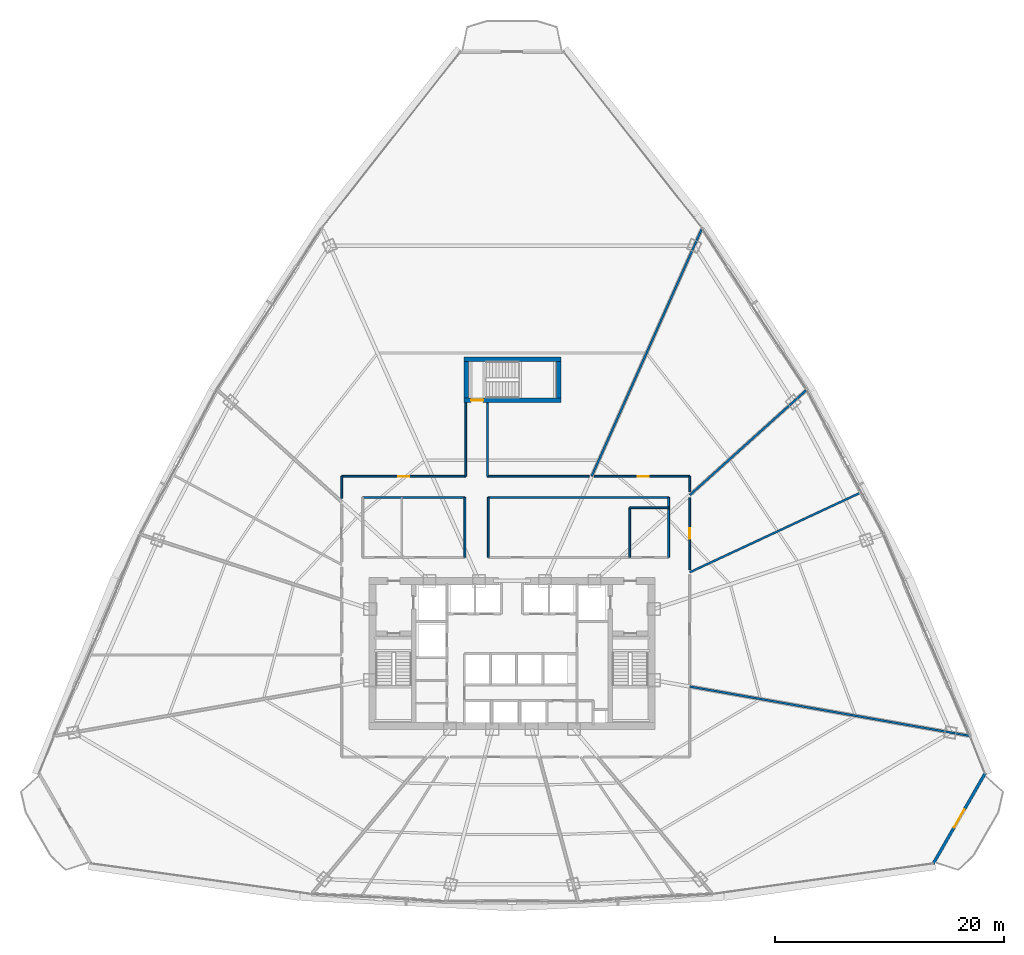
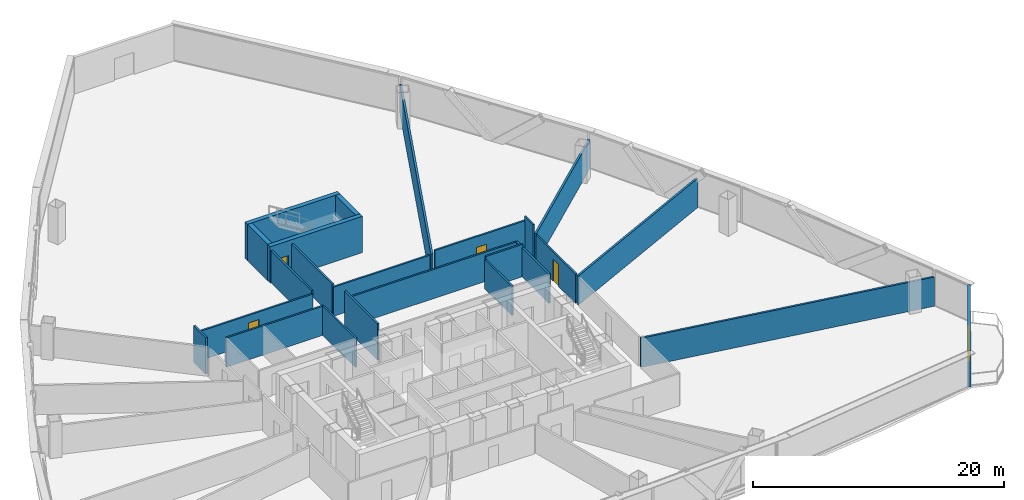
# One storey, part 31 of 36: 24 walls, 5 doors, 5 openings.
"""IFC4 building model written with IfcOpenShell, lengths in metres."""

from ifc_helpers import new_model, si_unit, direction, frame, frame_2d, origin, origin_with_axes, place, context, subcontext, project, spatial, rectangle, extrude, source, transform, mapped, material, layer, layer_set, type_object, element, fill, save


model = new_model("IFC4")

# Units and contexts
model_context = context("Model", 3, precision=1e-05, world=origin(), true_north=direction((0.0, 1.0)))
body_context = subcontext(model_context, "Body", "Model", "MODEL_VIEW")
ifc_project = project(units=[si_unit("LENGTHUNIT", "METRE"), si_unit("AREAUNIT", "SQUARE_METRE"), si_unit("VOLUMEUNIT", "CUBIC_METRE"), si_unit("PLANEANGLEUNIT", "RADIAN"), si_unit("MASSUNIT", "GRAM", prefix="KILO"), si_unit("THERMODYNAMICTEMPERATUREUNIT", "KELVIN"), si_unit("POWERUNIT", "WATT")], contexts=[model_context])

# Site, building, storey
site_placement = place(None, origin())
site = spatial("IfcSite", under=ifc_project, at=site_placement, CompositionType="ELEMENT")
building_placement = place(site_placement, origin())
building = spatial("IfcBuilding", under=site, at=building_placement, Name="Yunzhuo Pagoda Commons", CompositionType="ELEMENT")
storey_placement = place(building_placement, frame((0.0, 0.0, 103.97998046875)))
storey = spatial("IfcBuildingStorey", under=building, at=storey_placement, Name="L26", CompositionType="ELEMENT", Elevation=103.97998046875)

# Wall, opening, door
ifc_material_1 = material(Name="Precast concrete C40", Category="concrete")
ifc_layer_1 = layer(ifc_material_1, 0.260009765625)
ifc_layer_set_1 = layer_set([ifc_layer_1], Name="Precast concrete C40")
wall_type_1 = type_object("IfcWallType", Name="W-BAL1 Corner Balcony Threshold Wall 260", PredefinedType="STANDARD", material=ifc_layer_set_1)
wall_1_placement = place(storey_placement, frame((84.835693359375, 15.427734375, 0.0), z_axis=(0.0, 0.0, 1.0), x_axis=(0.497913445573, 0.867226729707, 0.0)))
wall_1 = element("IfcWall", 1, at=wall_1_placement, inside=storey, type_object=wall_type_1, Name="L26 corner balcony wall V2", PredefinedType="STANDARD", context=body_context, shape_type="SweptSolid", body=[
    extrude(rectangle(XDim=9.180908203125, YDim=0.260009765625, at=frame_2d((4.59033203125, 0.0))), origin(), (0.0, 0.0, 1.0), 3.5400390625),
])
opening_1_placement = place(wall_1_placement, frame((3.6904296875, 0.0, 0.0)))
opening_1 = element("IfcOpeningElement", 2, at=opening_1_placement, cuts=wall_1, Name="Opening D-BAL1", PredefinedType="OPENING", context=body_context, shape_type="SweptSolid", body=[
    extrude(rectangle(XDim=1.800048828125, YDim=2.14990234375, at=frame_2d((0.89990234375, 1.074951171875))), frame((0.0, 0.14013671875, 0.0), z_axis=(0.0, -1.0, 0.0), x_axis=(1.0, 0.0, 0.0)), (0.0, 0.0, 1.0), 0.280029296875),
])
ifc_material_2 = material(Name="Anodized aluminium frame and tempered glazed leaf", Category="aluminium")
door_type_1 = type_object("IfcDoorType", Name="D-BAL1 Corner Balcony Sliding Glazed Door 1800x2150", OperationType="DOUBLE_DOOR_SLIDING", PredefinedType="DOOR", material=ifc_material_2)
shared_shape_1 = source(origin(), body_context, "Body", "SweptSolid", [
    extrude(rectangle(XDim=1.800048828125, YDim=2.14990234375, at=frame_2d((0.89990234375, 1.074951171875))), frame((0.0, 0.02490234375, 0.0), z_axis=(0.0, -1.0, 0.0), x_axis=(1.0, 0.0, 0.0)), (0.0, 0.0, 1.0), 0.050048828125),
])
door_1_placement = place(opening_1_placement, origin_with_axes())
door_1 = element("IfcDoor", 3, at=door_1_placement, inside=storey, type_object=door_type_1, Name="L26 corner balcony sliding door V2", OperationType="DOUBLE_DOOR_SLIDING", OverallHeight=2.14990234375, OverallWidth=1.800048828125, PredefinedType="DOOR", context=body_context, shape_type="MappedRepresentation", body=[
    mapped(shared_shape_1, transform((0.0, 0.0, 0.0), scale=1.0)),
])
fill(opening_1, door_1)

# Walls
ifc_material_3 = material(Name="Gypsum plasterboard on acoustic stud")
ifc_layer_2 = layer(ifc_material_3, 0.159912109375)
ifc_layer_set_2 = layer_set([ifc_layer_2], Name="Gypsum plasterboard on acoustic stud")
wall_type_2 = type_object("IfcWallType", Name="W-COR1 Tower Rated Corridor Wall 160", PredefinedType="PARTITIONING", material=ifc_layer_set_2)
wall_2_placement = place(storey_placement, frame((34.949951171875, 47.5, 0.0), z_axis=(0.0, 0.0, 1.0), x_axis=(1.0, 0.0, 0.0)))
element("IfcWall", 4, at=wall_2_placement, inside=storey, type_object=wall_type_2, Name="L26 interior wall IW-L26-ISLWN", PredefinedType="PARTITIONING", context=body_context, shape_type="SweptSolid", body=[
    extrude(rectangle(XDim=8.929931640625, YDim=0.159912109375, at=frame_2d((4.46484375, 0.0))), origin(), (0.0, 0.0, 1.0), 2.840087890625),
])
wall_3_placement = place(storey_placement, frame((43.8798828125, 42.25, 0.0), z_axis=(0.0, 0.0, 1.0), x_axis=(0.0, 1.0, 0.0)))
element("IfcWall", 5, at=wall_3_placement, inside=storey, type_object=wall_type_2, Name="L26 interior wall IW-L26-ISLWE", PredefinedType="PARTITIONING", context=body_context, shape_type="SweptSolid", body=[
    extrude(rectangle(XDim=5.25, YDim=0.159912109375, at=frame_2d((2.625, 0.0))), origin(), (0.0, 0.0, 1.0), 2.840087890625),
])
wall_4_placement = place(storey_placement, frame((45.919921875, 47.5, 0.0), z_axis=(0.0, 0.0, 1.0), x_axis=(1.0, 0.0, 0.0)))
element("IfcWall", 6, at=wall_4_placement, inside=storey, type_object=wall_type_2, Name="L26 interior wall IW-L26-ISLEN", PredefinedType="PARTITIONING", context=body_context, shape_type="SweptSolid", body=[
    extrude(rectangle(XDim=15.780029296875, YDim=0.159912109375, at=frame_2d((7.89013671875, 0.0))), origin(), (0.0, 0.0, 1.0), 2.840087890625),
])
wall_5_placement = place(storey_placement, frame((45.919921875, 42.25, 0.0), z_axis=(0.0, 0.0, 1.0), x_axis=(0.0, 1.0, 0.0)))
element("IfcWall", 7, at=wall_5_placement, inside=storey, type_object=wall_type_2, Name="L26 interior wall IW-L26-ISLEW", PredefinedType="PARTITIONING", context=body_context, shape_type="SweptSolid", body=[
    extrude(rectangle(XDim=5.25, YDim=0.159912109375, at=frame_2d((2.625, 0.0))), origin(), (0.0, 0.0, 1.0), 3.5400390625),
])
wall_6_placement = place(storey_placement, frame((61.699951171875, 42.25, 0.0), z_axis=(0.0, 0.0, 1.0), x_axis=(0.0, 1.0, 0.0)))
element("IfcWall", 8, at=wall_6_placement, inside=storey, type_object=wall_type_2, Name="L26 interior wall IW-L26-ISLEE", PredefinedType="PARTITIONING", context=body_context, shape_type="SweptSolid", body=[
    extrude(rectangle(XDim=5.25, YDim=0.159912109375, at=frame_2d((2.625, 0.0))), origin(), (0.0, 0.0, 1.0), 2.840087890625),
])
wall_7_placement = place(storey_placement, frame((58.300048828125, 42.25, 0.0), z_axis=(0.0, 0.0, 1.0), x_axis=(0.0, 1.0, 0.0)))
element("IfcWall", 9, at=wall_7_placement, inside=storey, type_object=wall_type_2, Name="L26 interior wall IW-L26-ISL2W", PredefinedType="PARTITIONING", context=body_context, shape_type="SweptSolid", body=[
    extrude(rectangle(XDim=4.35009765625, YDim=0.159912109375, at=frame_2d((2.175048828125, 0.0))), origin(), (0.0, 0.0, 1.0), 2.840087890625),
])
wall_8_placement = place(storey_placement, frame((58.300048828125, 46.60009765625, 0.0), z_axis=(0.0, 0.0, 1.0), x_axis=(1.0, 0.0, 0.0)))
element("IfcWall", 10, at=wall_8_placement, inside=storey, type_object=wall_type_2, Name="L26 interior wall IW-L26-ISL2N", PredefinedType="PARTITIONING", context=body_context, shape_type="SweptSolid", body=[
    extrude(rectangle(XDim=3.39990234375, YDim=0.159912109375, at=frame_2d((1.699951171875, 0.0))), origin(), (0.0, 0.0, 1.0), 3.14013671875),
])
wall_9_placement = place(storey_placement, frame((33.10009765625, 47.412109375, 0.0), z_axis=(0.0, 0.0, 1.0), x_axis=(0.0, 1.0, 0.0)))
element("IfcWall", 11, at=wall_9_placement, inside=storey, type_object=wall_type_2, Name="L26 interior wall IW-L26-CWL06", PredefinedType="PARTITIONING", context=body_context, shape_type="SweptSolid", body=[
    extrude(rectangle(XDim=1.93798828125, YDim=0.159912109375, at=frame_2d((0.968994140625, 0.0))), origin(), (0.0, 0.0, 1.0), 3.5400390625),
])

# Wall, opening, door
wall_10_placement = place(storey_placement, frame((33.10009765625, 49.35009765625, 0.0), z_axis=(0.0, 0.0, 1.0), x_axis=(1.0, 0.0, 0.0)))
wall_10 = element("IfcWall", 12, at=wall_10_placement, inside=storey, type_object=wall_type_2, Name="L26 interior wall IW-L26-CWL07", PredefinedType="PARTITIONING", context=body_context, shape_type="SweptSolid", body=[
    extrude(rectangle(XDim=10.849853515625, YDim=0.159912109375, at=frame_2d((5.4248046875, 0.0))), origin(), (0.0, 0.0, 1.0), 2.840087890625),
])
opening_2_placement = place(wall_10_placement, frame((4.949951171875, 0.0, 0.0)))
opening_2 = element("IfcOpeningElement", 13, at=opening_2_placement, cuts=wall_10, Name="Opening D-06", PredefinedType="OPENING", context=body_context, shape_type="SweptSolid", body=[
    extrude(rectangle(XDim=0.949951171875, YDim=2.10009765625, at=frame_2d((0.47509765625, 1.050048828125))), frame((0.0, 0.08984375, 0.0), z_axis=(0.0, -1.0, 0.0), x_axis=(1.0, 0.0, 0.0)), (0.0, 0.0, 1.0), 0.179931640625),
])
ifc_material_4 = material(Name="Galvanized fire-resisting metal leaf")
door_type_2 = type_object("IfcDoorType", Name="D-06 Co-Living Suite Entrance Fire Door 950x2100", OperationType="NOTDEFINED", PredefinedType="DOOR", material=ifc_material_4)
shared_shape_2 = source(origin(), body_context, "Body", "SweptSolid", [
    extrude(rectangle(XDim=0.949951171875, YDim=2.10009765625, at=frame_2d((0.47509765625, 1.050048828125))), frame((0.0, 0.02490234375, 0.0), z_axis=(0.0, -1.0, 0.0), x_axis=(1.0, 0.0, 0.0)), (0.0, 0.0, 1.0), 0.050048828125),
])
door_2_placement = place(opening_2_placement, origin_with_axes())
door_2 = element("IfcDoor", 14, at=door_2_placement, inside=storey, type_object=door_type_2, Name="L26 Resident Co-Living Commons Hall door", OperationType="SINGLE_SWING_RIGHT", OverallHeight=2.10009765625, OverallWidth=0.949951171875, PredefinedType="DOOR", context=body_context, shape_type="MappedRepresentation", body=[
    mapped(shared_shape_2, transform((0.0, 0.0, 0.0), scale=1.0)),
])
fill(opening_2, door_2)

# Walls
for number, where, z_axis, x_axis, name in (
    (15, (43.949951171875, 49.35009765625, 0.0), (0.0, 0.0, 1.0), (0.0, 1.0, 0.0), "L26 interior wall IW-L26-CWL08"),
    (16, (45.85009765625, 55.780029296875, 0.0), (0.0, 0.0, 1.0), (0.0, -1.0, 0.0), "L26 interior wall IW-L26-CWL09"),
):
    element("IfcWall", number, at=place(storey_placement, frame(where, z_axis=z_axis, x_axis=x_axis)), inside=storey, type_object=wall_type_2, Name=name, PredefinedType="PARTITIONING", context=body_context, shape_type="SweptSolid", body=[
        extrude(rectangle(XDim=6.429931640625, YDim=0.159912109375, at=frame_2d((3.21484375, 0.0))), origin(), (0.0, 0.0, 1.0), 3.14013671875),
    ])
wall_11_placement = place(storey_placement, frame((45.85009765625, 49.35009765625, 0.0), z_axis=(0.0, 0.0, 1.0), x_axis=(1.0, 0.0, 0.0)))
element("IfcWall", 17, at=wall_11_placement, inside=storey, type_object=wall_type_2, Name="L26 interior wall IW-L26-CWL10", PredefinedType="PARTITIONING", context=body_context, shape_type="SweptSolid", body=[
    extrude(rectangle(XDim=8.89794921875, YDim=0.159912109375, at=frame_2d((4.448974609375, 0.0))), origin(), (0.0, 0.0, 1.0), 2.840087890625),
])

# Wall, opening, door
wall_12_placement = place(storey_placement, frame((55.20849609375, 49.35009765625, 0.0), z_axis=(0.0, 0.0, 1.0), x_axis=(1.0, 0.0, 0.0)))
wall_12 = element("IfcWall", 18, at=wall_12_placement, inside=storey, type_object=wall_type_2, Name="L26 interior wall IW-L26-CWL11", PredefinedType="PARTITIONING", context=body_context, shape_type="SweptSolid", body=[
    extrude(rectangle(XDim=8.341552734375, YDim=0.159912109375, at=frame_2d((4.1708984375, 0.0))), origin(), (0.0, 0.0, 1.0), 3.14013671875),
])
opening_3_placement = place(wall_12_placement, frame((3.805419921875, 0.0, 0.0)))
opening_3 = element("IfcOpeningElement", 19, at=opening_3_placement, cuts=wall_12, Name="Opening D-06", PredefinedType="OPENING", context=body_context, shape_type="SweptSolid", body=[
    extrude(rectangle(XDim=0.949951171875, YDim=2.10009765625, at=frame_2d((0.47509765625, 1.050048828125))), frame((0.0, 0.08984375, 0.0), z_axis=(0.0, -1.0, 0.0), x_axis=(1.0, 0.0, 0.0)), (0.0, 0.0, 1.0), 0.179931640625),
])
door_3_placement = place(opening_3_placement, origin_with_axes())
door_3 = element("IfcDoor", 20, at=door_3_placement, inside=storey, type_object=door_type_2, Name="L26 unit 03 entrance door", OperationType="SINGLE_SWING_LEFT", OverallHeight=2.10009765625, OverallWidth=0.949951171875, PredefinedType="DOOR", context=body_context, shape_type="MappedRepresentation", body=[
    mapped(shared_shape_2, transform((0.0, 0.0, 0.0), scale=1.0)),
])
fill(opening_3, door_3)

# Wall
wall_13_placement = place(storey_placement, frame((63.550048828125, 49.35009765625, 0.0), z_axis=(0.0, 0.0, 1.0), x_axis=(0.0, -1.0, 0.0)))
element("IfcWall", 21, at=wall_13_placement, inside=storey, type_object=wall_type_2, Name="L26 interior wall IW-L26-CWL12", PredefinedType="PARTITIONING", context=body_context, shape_type="SweptSolid", body=[
    extrude(rectangle(XDim=1.352783203125, YDim=0.159912109375, at=frame_2d((0.67626953125, 0.0))), origin(), (0.0, 0.0, 1.0), 3.5400390625),
])

# Wall, opening, door
wall_14_placement = place(storey_placement, frame((63.550048828125, 47.481689453125, 0.0), z_axis=(0.0, 0.0, 1.0), x_axis=(0.0, -1.0, 0.0)))
wall_14 = element("IfcWall", 22, at=wall_14_placement, inside=storey, type_object=wall_type_2, Name="L26 interior wall IW-L26-CWL13", PredefinedType="PARTITIONING", context=body_context, shape_type="SweptSolid", body=[
    extrude(rectangle(XDim=6.287841796875, YDim=0.159912109375, at=frame_2d((3.14404296875, 0.0))), origin(), (0.0, 0.0, 1.0), 2.840087890625),
])
opening_4_placement = place(wall_14_placement, frame((2.6953125, 0.0, 0.0)))
opening_4 = element("IfcOpeningElement", 23, at=opening_4_placement, cuts=wall_14, Name="Opening D-04", PredefinedType="OPENING", context=body_context, shape_type="SweptSolid", body=[
    extrude(rectangle(XDim=0.919921875, YDim=2.10009765625, at=frame_2d((0.4599609375, 1.050048828125))), frame((0.0, 0.08984375, 0.0), z_axis=(0.0, -1.0, 0.0), x_axis=(1.0, 0.0, 0.0)), (0.0, 0.0, 1.0), 0.179931640625),
])
ifc_material_5 = material(Name="Powder-coated aluminium and timber acoustic leaf", Category="wood")
door_type_3 = type_object("IfcDoorType", Name="D-04 Bedroom & Study Interior Door 920x2100", OperationType="NOTDEFINED", PredefinedType="DOOR", material=ifc_material_5)
shared_shape_3 = source(origin(), body_context, "Body", "SweptSolid", [
    extrude(rectangle(XDim=0.919921875, YDim=2.10009765625, at=frame_2d((0.4599609375, 1.050048828125))), frame((0.0, 0.02490234375, 0.0), z_axis=(0.0, -1.0, 0.0), x_axis=(1.0, 0.0, 0.0)), (0.0, 0.0, 1.0), 0.050048828125),
])
door_4_placement = place(opening_4_placement, origin_with_axes())
door_4 = element("IfcDoor", 24, at=door_4_placement, inside=storey, type_object=door_type_3, Name="L26 seminar room 02 door", OperationType="SINGLE_SWING_RIGHT", OverallHeight=2.10009765625, OverallWidth=0.919921875, PredefinedType="DOOR", context=body_context, shape_type="MappedRepresentation", body=[
    mapped(shared_shape_3, transform((0.0, 0.0, 0.0), scale=1.0)),
])
fill(opening_4, door_4)

# Walls
ifc_layer_3 = layer(ifc_material_3, 0.179931640625)
ifc_layer_set_3 = layer_set([ifc_layer_3], Name="Gypsum plasterboard on acoustic stud")
wall_type_3 = type_object("IfcWallType", Name="W-PRT2 Acoustic Unit Demising Wall 180", PredefinedType="PARTITIONING", material=ifc_layer_set_3)
wall_15_placement = place(storey_placement, frame((63.550048828125, 40.951171875, 0.0), z_axis=(0.0, 0.0, 1.0), x_axis=(0.906312192988, 0.422608813018, 0.0)))
element("IfcWall", 25, at=wall_15_placement, inside=storey, type_object=wall_type_3, Name="L26 interior wall IW-L26-RAD01", PredefinedType="PARTITIONING", context=body_context, shape_type="SweptSolid", body=[
    extrude(rectangle(XDim=16.57177734375, YDim=0.179931640625, at=frame_2d((8.285888671875, 0.0))), origin(), (0.0, 0.0, 1.0), 2.840087890625),
])
wall_16_placement = place(storey_placement, frame((63.550048828125, 47.701416015625, 0.0), z_axis=(0.0, 0.0, 1.0), x_axis=(0.743145401191, 0.669129966964, 0.0)))
element("IfcWall", 26, at=wall_16_placement, inside=storey, type_object=wall_type_3, Name="L26 interior wall IW-L26-RAD02", PredefinedType="PARTITIONING", context=body_context, shape_type="SweptSolid", body=[
    extrude(rectangle(XDim=13.79443359375, YDim=0.179931640625, at=frame_2d((6.897216796875, 0.0))), origin(), (0.0, 0.0, 1.0), 2.840087890625),
])
wall_17_placement = place(storey_placement, frame((54.9677734375, 49.35009765625, 0.0), z_axis=(0.0, 0.0, 1.0), x_axis=(0.406738735626, 0.913544525976, 0.0)))
element("IfcWall", 27, at=wall_17_placement, inside=storey, type_object=wall_type_3, Name="L26 interior wall IW-L26-RAD03", PredefinedType="PARTITIONING", context=body_context, shape_type="SweptSolid", body=[
    extrude(rectangle(XDim=23.770751953125, YDim=0.179931640625, at=frame_2d((11.88525390625, 0.0))), origin(), (0.0, 0.0, 1.0), 2.840087890625),
])
wall_18_placement = place(storey_placement, frame((63.550048828125, 30.9580078125, 0.0), z_axis=(0.0, 0.0, 1.0), x_axis=(0.984808331287, -0.173644898074, 0.0)))
element("IfcWall", 28, at=wall_18_placement, inside=storey, type_object=wall_type_3, Name="L26 interior wall IW-L26-RAD14", PredefinedType="PARTITIONING", context=body_context, shape_type="SweptSolid", body=[
    extrude(rectangle(XDim=24.892822265625, YDim=0.179931640625, at=frame_2d((12.4462890625, 0.0))), origin(), (0.0, 0.0, 1.0), 2.840087890625),
])
ifc_material_6 = material(Name="Concrete C60", Category="concrete")
ifc_layer_4 = layer(ifc_material_6, 0.39990234375)
ifc_layer_set_4 = layer_set([ifc_layer_4], Name="Concrete C60")
wall_type_4 = type_object("IfcWallType", Name="W-S01 Internal Core Shear Web 400", PredefinedType="SHEAR", material=ifc_layer_set_4)
wall_19_placement = place(storey_placement, frame((43.800048828125, 59.60009765625, 0.0), z_axis=(0.0, 0.0, 1.0), x_axis=(1.0, 0.0, 0.0)))
element("IfcWall", 29, at=wall_19_placement, inside=storey, type_object=wall_type_4, Name="L26 ST3 structural stair wall N", PredefinedType="SHEAR", context=body_context, shape_type="SweptSolid", body=[
    extrude(rectangle(XDim=8.5, YDim=0.39990234375, at=frame_2d((4.25, 0.0))), origin(), (0.0, 0.0, 1.0), 3.5400390625),
])

# Wall, opening, door
wall_20_placement = place(storey_placement, frame((43.800048828125, 56.0, 0.0), z_axis=(0.0, 0.0, 1.0), x_axis=(1.0, 0.0, 0.0)))
wall_20 = element("IfcWall", 30, at=wall_20_placement, inside=storey, type_object=wall_type_4, Name="L26 ST3 structural stair wall S", PredefinedType="SHEAR", context=body_context, shape_type="SweptSolid", body=[
    extrude(rectangle(XDim=8.5, YDim=0.39990234375, at=frame_2d((4.25, 0.0))), origin(), (0.0, 0.0, 1.0), 3.5400390625),
])
opening_5_placement = place(wall_20_placement, frame((0.6201171875, 0.0, 0.0)))
opening_5 = element("IfcOpeningElement", 31, at=opening_5_placement, cuts=wall_20, Name="Opening D-01", PredefinedType="OPENING", context=body_context, shape_type="SweptSolid", body=[
    extrude(rectangle(XDim=1.050048828125, YDim=2.10009765625, at=frame_2d((0.52490234375, 1.050048828125))), frame((0.0, 0.2099609375, 0.0), z_axis=(0.0, -1.0, 0.0), x_axis=(1.0, 0.0, 0.0)), (0.0, 0.0, 1.0), 0.419921875),
])
door_type_4 = type_object("IfcDoorType", Name="D-01 Smokeproof Stair Fire Door 1050x2100", OperationType="NOTDEFINED", PredefinedType="DOOR", material=ifc_material_4)
shared_shape_4 = source(origin(), body_context, "Body", "SweptSolid", [
    extrude(rectangle(XDim=1.050048828125, YDim=2.10009765625, at=frame_2d((0.52490234375, 1.050048828125))), frame((0.0, 0.02490234375, 0.0), z_axis=(0.0, -1.0, 0.0), x_axis=(1.0, 0.0, 0.0)), (0.0, 0.0, 1.0), 0.050048828125),
])
door_5_placement = place(opening_5_placement, frame((1.050048828125, 0.0, 0.0), z_axis=(0.0, 0.0, 1.0), x_axis=(-1.0, 0.0, 0.0)))
door_5 = element("IfcDoor", 32, at=door_5_placement, inside=storey, type_object=door_type_4, Name="L26 Stair ST3 fire door", OperationType="SINGLE_SWING_LEFT", OverallHeight=2.10009765625, OverallWidth=1.050048828125, PredefinedType="DOOR", context=body_context, shape_type="MappedRepresentation", body=[
    mapped(shared_shape_4, transform((0.0, 0.0, 0.0), scale=1.0)),
])
fill(opening_5, door_5)

# Walls
for number, where, z_axis, x_axis, name in (
    (33, (44.0, 56.199951171875, 0.0), (0.0, 0.0, 1.0), (0.0, 1.0, 0.0), "L26 ST3 structural stair wall W"),
    (34, (52.10009765625, 56.199951171875, 0.0), (0.0, 0.0, 1.0), (0.0, 1.0, 0.0), "L26 ST3 structural stair wall E"),
):
    element("IfcWall", number, at=place(storey_placement, frame(where, z_axis=z_axis, x_axis=x_axis)), inside=storey, type_object=wall_type_4, Name=name, PredefinedType="SHEAR", context=body_context, shape_type="SweptSolid", body=[
        extrude(rectangle(XDim=3.199951171875, YDim=0.39990234375, at=frame_2d((1.60009765625, 0.0))), origin(), (0.0, 0.0, 1.0), 3.5400390625),
    ])

save(model, "model.ifc")
